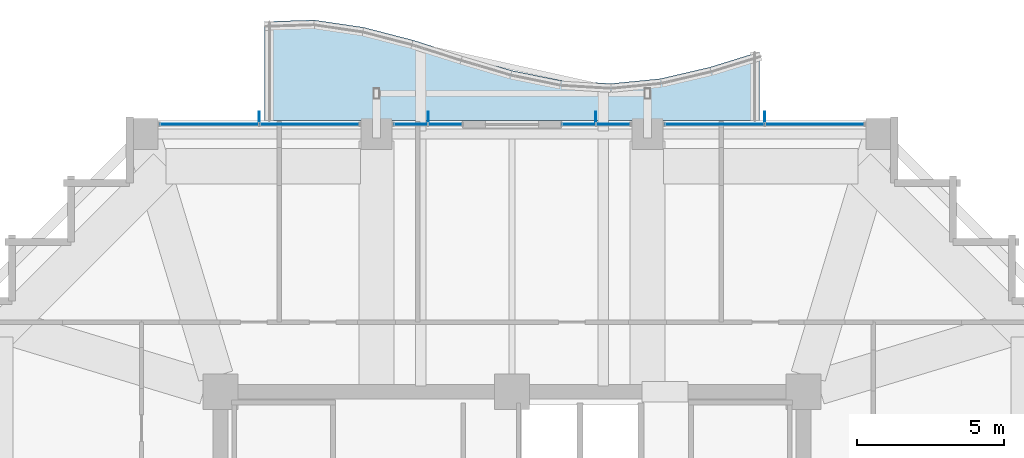
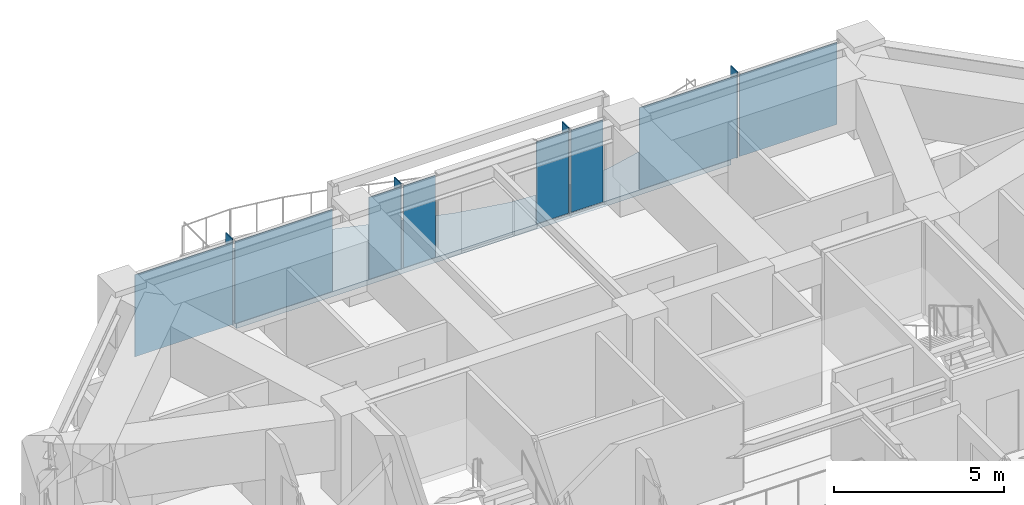
# One storey, part 23 of 28: 12 plates, 1 slab, 4 elements without a shape of their own.
"""IFC4 building model written with IfcOpenShell, lengths in metres."""

from ifc_helpers import new_model, si_unit, direction, frame, origin, origin_2d, place, context, subcontext, project, spatial, polyline, rectangle, outline, extrude, material, layer, layer_set, type_object, element, aggregate, save


model = new_model("IFC4")

# Units and contexts
model_context = context("Model", 3, precision=1e-05, world=origin(), true_north=direction((0.0, 1.0)))
body_context = subcontext(model_context, "Body", "Model", "MODEL_VIEW")
ifc_project = project(units=[si_unit("LENGTHUNIT", "METRE"), si_unit("AREAUNIT", "SQUARE_METRE"), si_unit("VOLUMEUNIT", "CUBIC_METRE"), si_unit("PLANEANGLEUNIT", "RADIAN"), si_unit("MASSUNIT", "GRAM", prefix="KILO")], contexts=[model_context])

# Site, building, storey
site_placement = place(None, origin())
site = spatial("IfcSite", under=ifc_project, at=site_placement, CompositionType="ELEMENT")
building_placement = place(site_placement, origin())
building = spatial("IfcBuilding", under=site, at=building_placement, Name="Kolvaren Belvedere", CompositionType="ELEMENT")
storey_placement = place(building_placement, frame((0.0, 0.0, 125.0)))
storey = spatial("IfcBuildingStorey", under=building, at=storey_placement, Name="L36", CompositionType="ELEMENT", Elevation=125.0)

# Curtain wall, plates
ifc_material_1 = material(Name="Anodised pale-metal aluminium AA 6063-T6", Category="aluminium")
curtain_wall_type = type_object("IfcCurtainWallType", Name="CW-Z3-WAIST", PredefinedType="NOTDEFINED", material=ifc_material_1)
curtain_wall_1_placement = place(storey_placement, origin())
curtain_wall_1 = element("IfcCurtainWall", 1, at=curtain_wall_1_placement, inside=storey, type_object=curtain_wall_type, Name="L36 Unitised Curtain Wall FCW-L36-N1-B1", PredefinedType="NOTDEFINED")
ifc_material_2 = material(Name="Low-iron triple insulated glass", Category="glass")
ifc_layer_1 = layer(ifc_material_2, 0.028076171875)
ifc_layer_set_1 = layer_set([ifc_layer_1], Name="Low-iron triple insulated glass")
plate_type_1 = type_object("IfcPlateType", Name="CW-PNL-VIS28", PredefinedType="CURTAIN_PANEL", material=ifc_layer_set_1)
plate_1_placement = place(storey_placement, frame((-10.273681640625, 18.97998046875, 0.080078125), z_axis=(0.0, 0.0, 1.0), x_axis=(1.0, 0.0, 0.0)))
plate_1 = element("IfcPlate", 2, at=plate_1_placement, type_object=plate_type_1, Name="FCW-L36-N1-B1 Vision Glazing Panel 1", PredefinedType="CURTAIN_PANEL", context=body_context, shape_type="SweptSolid", body=[
    extrude(rectangle(XDim=3.3173828125, YDim=0.028076171875, at=origin_2d()), origin(), (0.0, 0.0, 1.0), 2.93994140625),
])
plate_2_placement = place(storey_placement, frame((-6.876220703125, 18.97998046875, 0.080078125), z_axis=(0.0, 0.0, 1.0), x_axis=(1.0, 0.0, 0.0)))
plate_2 = element("IfcPlate", 3, at=plate_2_placement, type_object=plate_type_1, Name="FCW-L36-N1-B1 Vision Glazing Panel 2", PredefinedType="CURTAIN_PANEL", context=body_context, shape_type="SweptSolid", body=[
    extrude(rectangle(XDim=3.3173828125, YDim=0.028076171875, at=origin_2d()), origin(), (0.0, 0.0, 1.0), 2.93994140625),
])
aggregate(curtain_wall_1, [plate_1, plate_2])

curtain_wall_2_placement = place(storey_placement, origin())
curtain_wall_2 = element("IfcCurtainWall", 4, at=curtain_wall_2_placement, inside=storey, type_object=curtain_wall_type, Name="L36 Unitised Curtain Wall FCW-L36-N1-B2", PredefinedType="NOTDEFINED")
plate_3_placement = place(storey_placement, frame((-3.43701171875, 18.97998046875, 0.080078125), z_axis=(0.0, 0.0, 1.0), x_axis=(1.0, 0.0, 0.0)))
plate_3 = element("IfcPlate", 5, at=plate_3_placement, type_object=plate_type_1, Name="FCW-L36-N1-B2 Vision Glazing Panel 1", PredefinedType="CURTAIN_PANEL", context=body_context, shape_type="SweptSolid", body=[
    extrude(rectangle(XDim=1.09130859375, YDim=0.028076171875, at=origin_2d()), origin(), (0.0, 0.0, 1.0), 2.93994140625),
])
plate_4_placement = place(storey_placement, frame((-2.265625, 18.97998046875, 0.080078125), z_axis=(0.0, 0.0, 1.0), x_axis=(1.0, 0.0, 0.0)))
plate_4 = element("IfcPlate", 6, at=plate_4_placement, type_object=plate_type_1, Name="FCW-L36-N1-B2 Vision Glazing Panel 2", PredefinedType="CURTAIN_PANEL", context=body_context, shape_type="SweptSolid", body=[
    extrude(rectangle(XDim=1.09130859375, YDim=0.028076171875, at=origin_2d()), origin(), (0.0, 0.0, 1.0), 2.93994140625),
])
aggregate(curtain_wall_2, [plate_3, plate_4])

curtain_wall_3_placement = place(storey_placement, origin())
curtain_wall_3 = element("IfcCurtainWall", 7, at=curtain_wall_3_placement, inside=storey, type_object=curtain_wall_type, Name="L36 Unitised Curtain Wall FCW-L36-N2-B1", PredefinedType="NOTDEFINED")
plate_5_placement = place(storey_placement, frame((2.265625, 18.97998046875, 0.080078125), z_axis=(0.0, 0.0, 1.0), x_axis=(1.0, 0.0, 0.0)))
plate_5 = element("IfcPlate", 8, at=plate_5_placement, type_object=plate_type_1, Name="FCW-L36-N2-B1 Vision Glazing Panel 1", PredefinedType="CURTAIN_PANEL", context=body_context, shape_type="SweptSolid", body=[
    extrude(rectangle(XDim=1.09130859375, YDim=0.028076171875, at=origin_2d()), origin(), (0.0, 0.0, 1.0), 2.93994140625),
])
plate_6_placement = place(storey_placement, frame((3.43701171875, 18.97998046875, 0.080078125), z_axis=(0.0, 0.0, 1.0), x_axis=(1.0, 0.0, 0.0)))
plate_6 = element("IfcPlate", 9, at=plate_6_placement, type_object=plate_type_1, Name="FCW-L36-N2-B1 Vision Glazing Panel 2", PredefinedType="CURTAIN_PANEL", context=body_context, shape_type="SweptSolid", body=[
    extrude(rectangle(XDim=1.09130859375, YDim=0.028076171875, at=origin_2d()), origin(), (0.0, 0.0, 1.0), 2.93994140625),
])
aggregate(curtain_wall_3, [plate_5, plate_6])

curtain_wall_4_placement = place(storey_placement, origin())
curtain_wall_4 = element("IfcCurtainWall", 10, at=curtain_wall_4_placement, inside=storey, type_object=curtain_wall_type, Name="L36 Unitised Curtain Wall FCW-L36-N2-B2", PredefinedType="NOTDEFINED")
plate_7_placement = place(storey_placement, frame((6.876220703125, 18.97998046875, 0.080078125), z_axis=(0.0, 0.0, 1.0), x_axis=(1.0, 0.0, 0.0)))
plate_7 = element("IfcPlate", 11, at=plate_7_placement, type_object=plate_type_1, Name="FCW-L36-N2-B2 Vision Glazing Panel 1", PredefinedType="CURTAIN_PANEL", context=body_context, shape_type="SweptSolid", body=[
    extrude(rectangle(XDim=3.3173828125, YDim=0.028076171875, at=origin_2d()), origin(), (0.0, 0.0, 1.0), 2.93994140625),
])
plate_8_placement = place(storey_placement, frame((10.273681640625, 18.97998046875, 0.080078125), z_axis=(0.0, 0.0, 1.0), x_axis=(1.0, 0.0, 0.0)))
plate_8 = element("IfcPlate", 12, at=plate_8_placement, type_object=plate_type_1, Name="FCW-L36-N2-B2 Vision Glazing Panel 2", PredefinedType="CURTAIN_PANEL", context=body_context, shape_type="SweptSolid", body=[
    extrude(rectangle(XDim=3.3173828125, YDim=0.028076171875, at=origin_2d()), origin(), (0.0, 0.0, 1.0), 2.93994140625),
])
aggregate(curtain_wall_4, [plate_7, plate_8])

# Plates
ifc_material_3 = material(Name="Anodised pale-metal aluminium AA 6063-T6", Category="aluminium")
ifc_layer_2 = layer(ifc_material_3, 0.033935546875)
ifc_layer_set_2 = layer_set([ifc_layer_2], Name="Anodised pale-metal aluminium AA 6063-T6")
plate_type_2 = type_object("IfcPlateType", Name="FIN-VERT-380", PredefinedType="USERDEFINED", material=ifc_layer_set_2)
for number, where, z_axis, x_axis, name in (
    (13, (-8.574951171875, 19.219970703125, 0.0), (0.0, 0.0, 1.0), (0.0, 1.0, 0.0), "L36 Pale-Metal Vertical Shading Fin FCW-L36-N1-B1-1"),
    (14, (-2.851318359375, 19.219970703125, 0.0), (0.0, 0.0, 1.0), (0.0, 1.0, 0.0), "L36 Pale-Metal Vertical Shading Fin FCW-L36-N1-B2-1"),
    (15, (2.851318359375, 19.219970703125, 0.0), (0.0, 0.0, 1.0), (0.0, 1.0, 0.0), "L36 Pale-Metal Vertical Shading Fin FCW-L36-N2-B1-1"),
    (16, (8.574951171875, 19.219970703125, 0.0), (0.0, 0.0, 1.0), (0.0, 1.0, 0.0), "L36 Pale-Metal Vertical Shading Fin FCW-L36-N2-B2-1"),
):
    element("IfcPlate", number, at=place(storey_placement, frame(where, z_axis=z_axis, x_axis=x_axis)), inside=storey, type_object=plate_type_2, Name=name, ObjectType="VERTICAL FIN", PredefinedType="USERDEFINED", context=body_context, shape_type="SweptSolid", body=[
        extrude(rectangle(XDim=0.3798828125, YDim=0.033935546875, at=origin_2d()), origin(), (0.0, 0.0, 1.0), 3.10009765625),
    ])

# Slab
ifc_material_4 = material(Name="Concrete C50/60", Category="concrete")
ifc_layer_3 = layer(ifc_material_4, 0.179931640625)
ifc_layer_set_3 = layer_set([ifc_layer_3], Name="Concrete C50/60")
slab_type = type_object("IfcSlabType", Name="SL-BAL-180", PredefinedType="FLOOR", material=ifc_layer_set_3)
slab_placement = place(storey_placement, frame((0.0, 0.0, -0.219970703125)))
element("IfcSlab", 17, at=slab_placement, inside=storey, type_object=slab_type, Name="L36 Planted Balcony BAL-N", PredefinedType="FLOOR", context=body_context, shape_type="SweptSolid", body=[
    extrude(outline(polyline([(-8.39990234375, 19.10009765625), (-6.719970703125, 19.10009765625), (-5.0400390625, 19.10009765625), (-3.360107421875, 19.10009765625), (-1.679931640625, 19.10009765625), (0.0, 19.10009765625), (1.679931640625, 19.10009765625), (3.360107421875, 19.10009765625), (5.0400390625, 19.10009765625), (6.719970703125, 19.10009765625), (8.39990234375, 19.10009765625), (8.39990234375, 21.43994140625), (6.719970703125, 20.919677734375), (5.0400390625, 20.528076171875), (3.360107421875, 20.362060546875), (1.679931640625, 20.462890625), (0.0, 20.80517578125), (-1.679931640625, 21.3046875), (-3.360107421875, 21.837646484375), (-5.0400390625, 22.272216796875), (-6.719970703125, 22.52001953125), (-8.39990234375, 22.467041015625), (-8.39990234375, 19.10009765625)])), origin(), (0.0, 0.0, 1.0), 0.179931640625),
])

save(model, "model.ifc")
